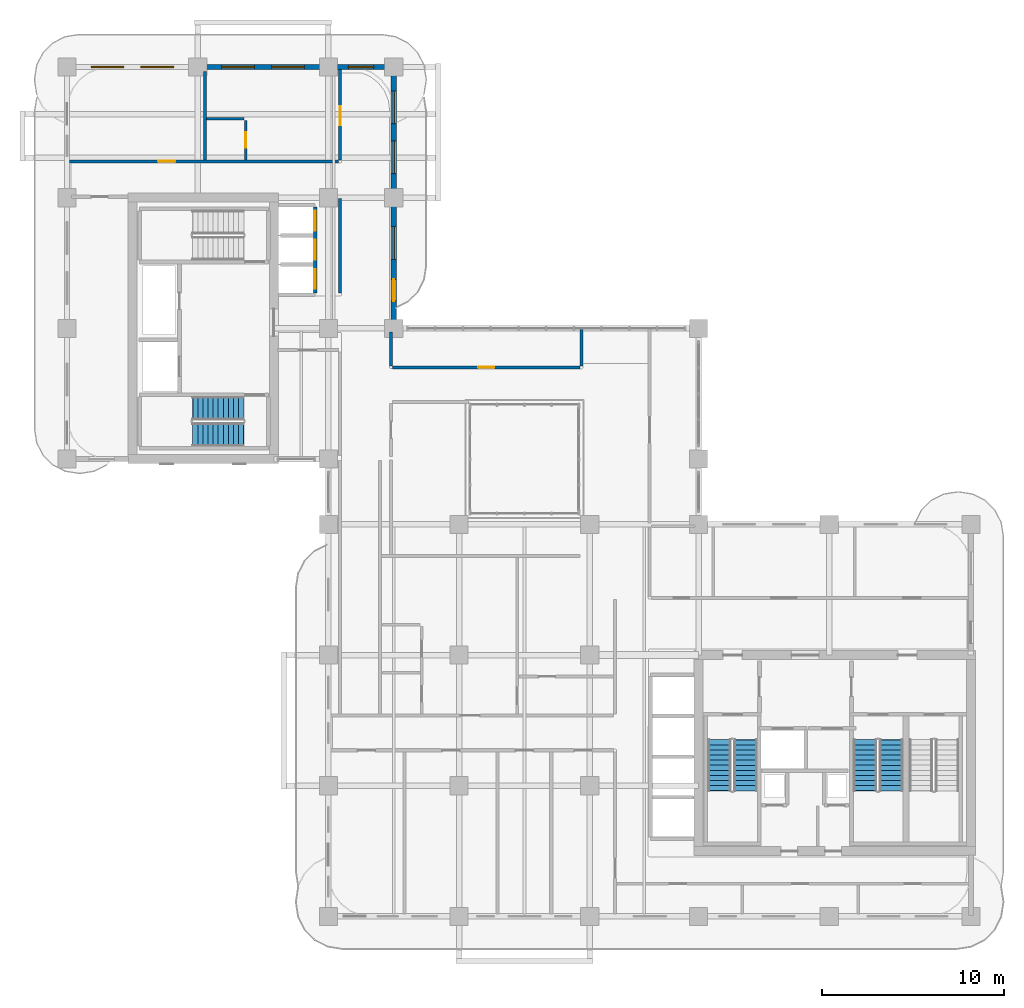
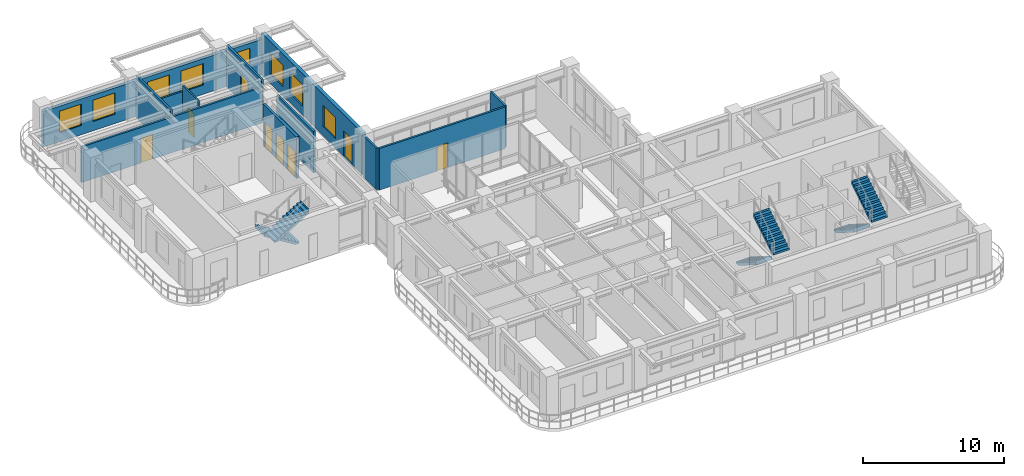
# One storey, part 15 of 21: 12 walls, 8 doors, 8 windows, 6 stair flights, 16 openings, 3 elements without a shape of their own.
"""IFC4 building model written with IfcOpenShell, lengths in metres."""

from ifc_helpers import new_model, si_unit, derived_unit, direction, frame, frame_2d, origin, place, context, subcontext, project, spatial, polyline, rectangle, outline, extrude, source, transform, mapped, material, layer, layer_set, type_object, type_shapes, element, fill, aggregate, save


model = new_model("IFC4")

# Units and contexts
model_context = context("Model", 3, precision=1e-05, world=origin(), true_north=direction((0.0, 1.0)))
body_context = subcontext(model_context, "Body", "Model", "MODEL_VIEW")
ifc_project = project(units=[si_unit("LENGTHUNIT", "METRE"), si_unit("AREAUNIT", "SQUARE_METRE"), si_unit("VOLUMEUNIT", "CUBIC_METRE"), si_unit("PLANEANGLEUNIT", "RADIAN"), si_unit("MASSUNIT", "GRAM", prefix="KILO"), si_unit("THERMODYNAMICTEMPERATUREUNIT", "KELVIN"), si_unit("POWERUNIT", "WATT"), derived_unit("THERMALTRANSMITTANCEUNIT", [(si_unit("POWERUNIT", "WATT"), 1), (si_unit("AREAUNIT", "SQUARE_METRE"), -1), (si_unit("THERMODYNAMICTEMPERATUREUNIT", "KELVIN"), -1)])], contexts=[model_context])

# Site, building, storey
site_placement = place(None, origin())
site = spatial("IfcSite", under=ifc_project, at=site_placement, CompositionType="ELEMENT")
building_placement = place(site_placement, origin())
building = spatial("IfcBuilding", under=site, at=building_placement, Name="Zahravan Archway Hotel and Residences", CompositionType="ELEMENT")
storey_placement = place(building_placement, frame((0.0, 0.0, 165.699951171875)))
storey = spatial("IfcBuildingStorey", under=building, at=storey_placement, Name="L41", CompositionType="ELEMENT", Elevation=165.699951171875)

# Wall, openings, windows
ifc_material_1 = material(Name="Honed Red-Ochre Sandstone & Insulated Block", Category="masonry")
ifc_layer_1 = layer(ifc_material_1, 0.280029296875, Name="Honed Red-Ochre Sandstone & Insulated Block", Category="masonry")
ifc_layer_set_1 = layer_set([ifc_layer_1], Name="Honed Red-Ochre Sandstone & Insulated Block")
wall_type_1 = type_object("IfcWallType", Name="EW-LOG-280", PredefinedType="SOLIDWALL", material=ifc_layer_set_1)
wall_1_placement = place(storey_placement, frame((0.0, 46.800048828125, 0.0), z_axis=(0.0, 0.0, 1.0), x_axis=(1.0, 0.0, 0.0)))
wall_1 = element("IfcWall", 1, at=wall_1_placement, inside=storey, type_object=wall_type_1, Name="L41 Exterior Sandstone Wall WB-N", PredefinedType="SOLIDWALL", context=body_context, shape_type="SweptSolid", body=[
    extrude(rectangle(XDim=18.0, YDim=0.280029296875, at=frame_2d((9.0, 0.0))), origin(), (0.0, 0.0, 1.0), 3.0849609375),
])
opening_1_placement = place(wall_1_placement, frame((1.324951171875, 0.0, 0.800048828125)))
opening_1 = element("IfcOpeningElement", 2, at=opening_1_placement, cuts=wall_1, Name="Opening W-02", PredefinedType="OPENING", context=body_context, shape_type="SweptSolid", body=[
    extrude(rectangle(XDim=1.800048828125, YDim=1.85009765625, at=frame_2d((0.89990234375, 0.925048828125))), frame((0.0, 0.14990234375, 0.0), z_axis=(0.0, -1.0, 0.0), x_axis=(1.0, 0.0, 0.0)), (0.0, 0.0, 1.0), 0.300048828125),
])
opening_2_placement = place(wall_1_placement, frame((4.074951171875, 0.0, 0.800048828125)))
opening_2 = element("IfcOpeningElement", 3, at=opening_2_placement, cuts=wall_1, Name="Opening W-02", PredefinedType="OPENING", context=body_context, shape_type="SweptSolid", body=[
    extrude(rectangle(XDim=1.800048828125, YDim=1.85009765625, at=frame_2d((0.89990234375, 0.925048828125))), frame((0.0, 0.14990234375, 0.0), z_axis=(0.0, -1.0, 0.0), x_axis=(1.0, 0.0, 0.0)), (0.0, 0.0, 1.0), 0.300048828125),
])
opening_3_placement = place(wall_1_placement, frame((8.52490234375, 0.0, 0.800048828125)))
opening_3 = element("IfcOpeningElement", 4, at=opening_3_placement, cuts=wall_1, Name="Opening W-02", PredefinedType="OPENING", context=body_context, shape_type="SweptSolid", body=[
    extrude(rectangle(XDim=1.800048828125, YDim=1.85009765625, at=frame_2d((0.89990234375, 0.925048828125))), frame((0.0, 0.14990234375, 0.0), z_axis=(0.0, -1.0, 0.0), x_axis=(1.0, 0.0, 0.0)), (0.0, 0.0, 1.0), 0.300048828125),
])
opening_4_placement = place(wall_1_placement, frame((11.27490234375, 0.0, 0.800048828125)))
opening_4 = element("IfcOpeningElement", 5, at=opening_4_placement, cuts=wall_1, Name="Opening W-02", PredefinedType="OPENING", context=body_context, shape_type="SweptSolid", body=[
    extrude(rectangle(XDim=1.800048828125, YDim=1.85009765625, at=frame_2d((0.89990234375, 0.925048828125))), frame((0.0, 0.14990234375, 0.0), z_axis=(0.0, -1.0, 0.0), x_axis=(1.0, 0.0, 0.0)), (0.0, 0.0, 1.0), 0.300048828125),
])
opening_5_placement = place(wall_1_placement, frame((15.5, 0.0, 0.800048828125)))
opening_5 = element("IfcOpeningElement", 6, at=opening_5_placement, cuts=wall_1, Name="Opening W-03", PredefinedType="OPENING", context=body_context, shape_type="SweptSolid", body=[
    extrude(rectangle(XDim=1.39990234375, YDim=1.85009765625, at=frame_2d((0.699951171875, 0.925048828125))), frame((0.0, 0.14990234375, 0.0), z_axis=(0.0, -1.0, 0.0), x_axis=(1.0, 0.0, 0.0)), (0.0, 0.0, 1.0), 0.300048828125),
])
ifc_material_2 = material(Name="Bronze-Anodized Thermal-Break Aluminium & Low-E Glass", Category="aluminium")
window_type_1 = type_object("IfcWindowType", Name="WIN-TWR-1400", PartitioningType="SINGLE_PANEL", PredefinedType="WINDOW", material=ifc_material_2)
shared_shape_1 = source(origin(), body_context, "Body", "SweptSolid", [
    extrude(rectangle(XDim=1.39990234375, YDim=1.85009765625, at=frame_2d((0.699951171875, 0.925048828125))), frame((0.0, 0.030029296875, 0.0), z_axis=(0.0, -1.0, 0.0), x_axis=(1.0, 0.0, 0.0)), (0.0, 0.0, 1.0), 0.06005859375),
])
type_shapes(window_type_1, [shared_shape_1])
window_1_placement = place(opening_5_placement, origin())
window_1 = element("IfcWindow", 7, at=window_1_placement, inside=storey, type_object=window_type_1, Name="L41 Loggia Window 30", OverallHeight=1.85009765625, OverallWidth=1.39990234375, PartitioningType="SINGLE_PANEL", PredefinedType="WINDOW", context=body_context, shape_type="MappedRepresentation", body=[
    mapped(shared_shape_1, transform((0.0, 0.0, 0.0), scale=1.0)),
])
fill(opening_5, window_1)
window_type_2 = type_object("IfcWindowType", Name="WIN-TWR-1800", PartitioningType="DOUBLE_PANEL_VERTICAL", PredefinedType="WINDOW", material=ifc_material_2)
shared_shape_2 = source(origin(), body_context, "Body", "SweptSolid", [
    extrude(rectangle(XDim=1.800048828125, YDim=1.85009765625, at=frame_2d((0.89990234375, 0.925048828125))), frame((0.0, 0.030029296875, 0.0), z_axis=(0.0, -1.0, 0.0), x_axis=(1.0, 0.0, 0.0)), (0.0, 0.0, 1.0), 0.06005859375),
])
type_shapes(window_type_2, [shared_shape_2])
window_2_placement = place(opening_1_placement, origin())
window_2 = element("IfcWindow", 8, at=window_2_placement, inside=storey, type_object=window_type_2, Name="L41 Loggia Window 26", OverallHeight=1.85009765625, OverallWidth=1.800048828125, PartitioningType="DOUBLE_PANEL_VERTICAL", PredefinedType="WINDOW", context=body_context, shape_type="MappedRepresentation", body=[
    mapped(shared_shape_2, transform((0.0, 0.0, 0.0), scale=1.0)),
])
fill(opening_1, window_2)
window_3_placement = place(opening_2_placement, origin())
window_3 = element("IfcWindow", 9, at=window_3_placement, inside=storey, type_object=window_type_2, Name="L41 Loggia Window 27", OverallHeight=1.85009765625, OverallWidth=1.800048828125, PartitioningType="DOUBLE_PANEL_VERTICAL", PredefinedType="WINDOW", context=body_context, shape_type="MappedRepresentation", body=[
    mapped(shared_shape_2, transform((0.0, 0.0, 0.0), scale=1.0)),
])
fill(opening_2, window_3)
window_4_placement = place(opening_3_placement, origin())
window_4 = element("IfcWindow", 10, at=window_4_placement, inside=storey, type_object=window_type_2, Name="L41 Loggia Window 28", OverallHeight=1.85009765625, OverallWidth=1.800048828125, PartitioningType="DOUBLE_PANEL_VERTICAL", PredefinedType="WINDOW", context=body_context, shape_type="MappedRepresentation", body=[
    mapped(shared_shape_2, transform((0.0, 0.0, 0.0), scale=1.0)),
])
fill(opening_3, window_4)
window_5_placement = place(opening_4_placement, origin())
window_5 = element("IfcWindow", 11, at=window_5_placement, inside=storey, type_object=window_type_2, Name="L41 Loggia Window 29", OverallHeight=1.85009765625, OverallWidth=1.800048828125, PartitioningType="DOUBLE_PANEL_VERTICAL", PredefinedType="WINDOW", context=body_context, shape_type="MappedRepresentation", body=[
    mapped(shared_shape_2, transform((0.0, 0.0, 0.0), scale=1.0)),
])
fill(opening_4, window_5)

# Wall, openings, door, windows
wall_2_placement = place(storey_placement, frame((18.0, 32.39990234375, 0.0), z_axis=(0.0, 0.0, 1.0), x_axis=(0.0, 1.0, 0.0)))
wall_2 = element("IfcWall", 12, at=wall_2_placement, inside=storey, type_object=wall_type_1, Name="L41 Exterior Sandstone Wall WB-EU", PredefinedType="SOLIDWALL", context=body_context, shape_type="SweptSolid", body=[
    extrude(rectangle(XDim=14.35009765625, YDim=0.280029296875, at=frame_2d((7.175048828125, 0.0))), origin(), (0.0, 0.0, 1.0), 3.60009765625),
])
opening_6_placement = place(wall_2_placement, frame((1.5, 0.0, 0.0)))
opening_6 = element("IfcOpeningElement", 13, at=opening_6_placement, cuts=wall_2, Name="Opening ED-BL1", PredefinedType="OPENING", context=body_context, shape_type="SweptSolid", body=[
    extrude(rectangle(XDim=1.199951171875, YDim=2.199951171875, at=frame_2d((0.60009765625, 1.10009765625))), frame((0.0, 0.14990234375, 0.0), z_axis=(0.0, -1.0, 0.0), x_axis=(1.0, 0.0, 0.0)), (0.0, 0.0, 1.0), 0.300048828125),
])
opening_7_placement = place(wall_2_placement, frame((3.800048828125, 0.0, 0.800048828125)))
opening_7 = element("IfcOpeningElement", 14, at=opening_7_placement, cuts=wall_2, Name="Opening W-02", PredefinedType="OPENING", context=body_context, shape_type="SweptSolid", body=[
    extrude(rectangle(XDim=1.800048828125, YDim=1.85009765625, at=frame_2d((0.89990234375, 0.925048828125))), frame((0.0, 0.14990234375, 0.0), z_axis=(0.0, -1.0, 0.0), x_axis=(1.0, 0.0, 0.0)), (0.0, 0.0, 1.0), 0.300048828125),
])
opening_8_placement = place(wall_2_placement, frame((8.52490234375, 0.0, 0.800048828125)))
opening_8 = element("IfcOpeningElement", 15, at=opening_8_placement, cuts=wall_2, Name="Opening W-02", PredefinedType="OPENING", context=body_context, shape_type="SweptSolid", body=[
    extrude(rectangle(XDim=1.800048828125, YDim=1.85009765625, at=frame_2d((0.89990234375, 0.925048828125))), frame((0.0, 0.14990234375, 0.0), z_axis=(0.0, -1.0, 0.0), x_axis=(1.0, 0.0, 0.0)), (0.0, 0.0, 1.0), 0.300048828125),
])
opening_9_placement = place(wall_2_placement, frame((11.27490234375, 0.0, 0.800048828125)))
opening_9 = element("IfcOpeningElement", 16, at=opening_9_placement, cuts=wall_2, Name="Opening W-02", PredefinedType="OPENING", context=body_context, shape_type="SweptSolid", body=[
    extrude(rectangle(XDim=1.800048828125, YDim=1.85009765625, at=frame_2d((0.89990234375, 0.925048828125))), frame((0.0, 0.14990234375, 0.0), z_axis=(0.0, -1.0, 0.0), x_axis=(1.0, 0.0, 0.0)), (0.0, 0.0, 1.0), 0.300048828125),
])
ifc_material_3 = material(Name="Bronze-Anodized Glazed Aluminium", Category="aluminium")
door_type_1 = type_object("IfcDoorType", Name="ED-BALC-1200", OperationType="SLIDING_TO_LEFT", PredefinedType="DOOR", material=ifc_material_3)
shared_shape_3 = source(origin(), body_context, "Body", "SweptSolid", [
    extrude(rectangle(XDim=1.199951171875, YDim=2.199951171875, at=frame_2d((0.60009765625, 1.10009765625))), frame((0.0, 0.02490234375, 0.0), z_axis=(0.0, -1.0, 0.0), x_axis=(1.0, 0.0, 0.0)), (0.0, 0.0, 1.0), 0.050048828125),
])
type_shapes(door_type_1, [shared_shape_3])
door_1_placement = place(opening_6_placement, origin())
door_1 = element("IfcDoor", 17, at=door_1_placement, inside=storey, type_object=door_type_1, Name="L41 Outdoor Access Sliding Door (SLB-BAL-L41-EB)", OperationType="SLIDING_TO_LEFT", OverallHeight=2.199951171875, OverallWidth=1.199951171875, PredefinedType="DOOR", context=body_context, shape_type="MappedRepresentation", body=[
    mapped(shared_shape_3, transform((0.0, 0.0, 0.0), scale=1.0)),
])
fill(opening_6, door_1)
window_6_placement = place(opening_7_placement, origin())
window_6 = element("IfcWindow", 18, at=window_6_placement, inside=storey, type_object=window_type_2, Name="L41 Loggia Window 31", OverallHeight=1.85009765625, OverallWidth=1.800048828125, PartitioningType="DOUBLE_PANEL_VERTICAL", PredefinedType="WINDOW", context=body_context, shape_type="MappedRepresentation", body=[
    mapped(shared_shape_2, transform((0.0, 0.0, 0.0), scale=1.0)),
])
fill(opening_7, window_6)
window_7_placement = place(opening_8_placement, origin())
window_7 = element("IfcWindow", 19, at=window_7_placement, inside=storey, type_object=window_type_2, Name="L41 Loggia Window 32", OverallHeight=1.85009765625, OverallWidth=1.800048828125, PartitioningType="DOUBLE_PANEL_VERTICAL", PredefinedType="WINDOW", context=body_context, shape_type="MappedRepresentation", body=[
    mapped(shared_shape_2, transform((0.0, 0.0, 0.0), scale=1.0)),
])
fill(opening_8, window_7)
window_8_placement = place(opening_9_placement, origin())
window_8 = element("IfcWindow", 20, at=window_8_placement, inside=storey, type_object=window_type_2, Name="L41 Loggia Window 33", OverallHeight=1.85009765625, OverallWidth=1.800048828125, PartitioningType="DOUBLE_PANEL_VERTICAL", PredefinedType="WINDOW", context=body_context, shape_type="MappedRepresentation", body=[
    mapped(shared_shape_2, transform((0.0, 0.0, 0.0), scale=1.0)),
])
fill(opening_9, window_8)

# Wall
ifc_material_4 = material(Name="Fire-Rated Gypsum & Concrete Block", Category="concrete")
ifc_layer_2 = layer(ifc_material_4, 0.159912109375, Name="Fire-Rated Gypsum & Concrete Block", Category="concrete")
ifc_layer_set_2 = layer_set([ifc_layer_2], Name="Fire-Rated Gypsum & Concrete Block")
wall_type_2 = type_object("IfcWallType", Name="PW-CORR-160", PredefinedType="PARTITIONING", material=ifc_layer_set_2)
wall_3_placement = place(storey_placement, frame((15.050048828125, 34.340087890625, 0.0), z_axis=(0.0, 0.0, 1.0), x_axis=(0.0, 1.0, 0.0)))
element("IfcWall", 21, at=wall_3_placement, inside=storey, type_object=wall_type_2, Name="L41 Partition WBN-CL", PredefinedType="PARTITIONING", context=body_context, shape_type="SweptSolid", body=[
    extrude(rectangle(XDim=5.219970703125, YDim=0.159912109375, at=frame_2d((2.60986328125, 0.0))), origin(), (0.0, 0.0, 1.0), 3.60009765625),
])

# Wall, opening, door
wall_4_placement = place(storey_placement, frame((15.050048828125, 41.68994140625, 0.0), z_axis=(0.0, 0.0, 1.0), x_axis=(0.0, 1.0, 0.0)))
wall_4 = element("IfcWall", 22, at=wall_4_placement, inside=storey, type_object=wall_type_2, Name="L41 Partition WBN-CU", PredefinedType="PARTITIONING", context=body_context, shape_type="SweptSolid", body=[
    extrude(rectangle(XDim=4.962158203125, YDim=0.159912109375, at=frame_2d((2.48095703125, 0.0))), origin(), (0.0, 0.0, 1.0), 3.60009765625),
])
opening_10_placement = place(wall_4_placement, frame((1.909912109375, 0.0, 0.0)))
opening_10 = element("IfcOpeningElement", 23, at=opening_10_placement, cuts=wall_4, Name="Opening D-U1", PredefinedType="OPENING", context=body_context, shape_type="SweptSolid", body=[
    extrude(rectangle(XDim=1.050048828125, YDim=2.25, at=frame_2d((0.52490234375, 1.125))), frame((0.0, 0.08984375, 0.0), z_axis=(0.0, -1.0, 0.0), x_axis=(1.0, 0.0, 0.0)), (0.0, 0.0, 1.0), 0.179931640625),
])
ifc_material_5 = material(Name="Hardwood Veneer Timber", Category="wood")
door_type_2 = type_object("IfcDoorType", Name="ID-UNIT-1050", OperationType="NOTDEFINED", PredefinedType="DOOR", material=ifc_material_5)
shared_shape_4 = source(origin(), body_context, "Body", "SweptSolid", [
    extrude(rectangle(XDim=1.050048828125, YDim=2.25, at=frame_2d((0.52490234375, 1.125))), frame((0.0, 0.02490234375, 0.0), z_axis=(0.0, -1.0, 0.0), x_axis=(1.0, 0.0, 0.0)), (0.0, 0.0, 1.0), 0.050048828125),
])
type_shapes(door_type_2, [shared_shape_4])
door_2_placement = place(opening_10_placement, origin())
door_2 = element("IfcDoor", 24, at=door_2_placement, inside=storey, type_object=door_type_2, Name="L41 Hotel Guestroom 78 Entrance Door", OperationType="SINGLE_SWING_LEFT", OverallHeight=2.25, OverallWidth=1.050048828125, PredefinedType="DOOR", context=body_context, shape_type="MappedRepresentation", body=[
    mapped(shared_shape_4, transform((0.0, 0.0, 0.0), scale=1.0)),
])
fill(opening_10, door_2)

wall_5_placement = place(storey_placement, frame((0.14794921875, 41.60009765625, 0.0), z_axis=(0.0, 0.0, 1.0), x_axis=(1.0, 0.0, 0.0)))
wall_5 = element("IfcWall", 25, at=wall_5_placement, inside=storey, type_object=wall_type_2, Name="L41 Partition WBN-S2", PredefinedType="PARTITIONING", context=body_context, shape_type="SweptSolid", body=[
    extrude(rectangle(XDim=14.81201171875, YDim=0.159912109375, at=frame_2d((7.406005859375, 0.0))), origin(), (0.0, 0.0, 1.0), 3.0849609375),
])
opening_11_placement = place(wall_5_placement, frame((4.876953125, 0.0, 0.0)))
opening_11 = element("IfcOpeningElement", 26, at=opening_11_placement, cuts=wall_5, Name="Opening D-I1", PredefinedType="OPENING", context=body_context, shape_type="SweptSolid", body=[
    extrude(rectangle(XDim=0.949951171875, YDim=2.14990234375, at=frame_2d((0.47509765625, 1.074951171875))), frame((0.0, 0.08984375, 0.0), z_axis=(0.0, -1.0, 0.0), x_axis=(1.0, 0.0, 0.0)), (0.0, 0.0, 1.0), 0.179931640625),
])
door_type_3 = type_object("IfcDoorType", Name="ID-INT-950", OperationType="NOTDEFINED", PredefinedType="DOOR", material=ifc_material_5)
shared_shape_5 = source(origin(), body_context, "Body", "SweptSolid", [
    extrude(rectangle(XDim=0.949951171875, YDim=2.14990234375, at=frame_2d((0.47509765625, 1.074951171875))), frame((0.0, 0.02490234375, 0.0), z_axis=(0.0, -1.0, 0.0), x_axis=(1.0, 0.0, 0.0)), (0.0, 0.0, 1.0), 0.050048828125),
])
type_shapes(door_type_3, [shared_shape_5])
door_3_placement = place(opening_11_placement, origin())
door_3 = element("IfcDoor", 27, at=door_3_placement, inside=storey, type_object=door_type_3, Name="L41 North West Study Door", OperationType="SINGLE_SWING_LEFT", OverallHeight=2.14990234375, OverallWidth=0.949951171875, PredefinedType="DOOR", context=body_context, shape_type="MappedRepresentation", body=[
    mapped(shared_shape_5, transform((0.0, 0.0, 0.0), scale=1.0)),
])
fill(opening_11, door_3)

# Walls
wall_6_placement = place(storey_placement, frame((17.85009765625, 30.340087890625, 0.0), z_axis=(0.0, 0.0, 1.0), x_axis=(0.0, 1.0, 0.0)))
element("IfcWall", 28, at=wall_6_placement, inside=storey, type_object=wall_type_2, Name="L41 Partition ATR-NWW2", PredefinedType="PARTITIONING", context=body_context, shape_type="SweptSolid", body=[
    extrude(rectangle(XDim=1.869873046875, YDim=0.159912109375, at=frame_2d((0.93505859375, 0.0))), origin(), (0.0, 0.0, 1.0), 3.60009765625),
])
wall_7_placement = place(storey_placement, frame((28.35009765625, 30.340087890625, 0.0), z_axis=(0.0, 0.0, 1.0), x_axis=(0.0, 1.0, 0.0)))
element("IfcWall", 29, at=wall_7_placement, inside=storey, type_object=wall_type_2, Name="L41 Partition ATR-NWE", PredefinedType="PARTITIONING", context=body_context, shape_type="SweptSolid", body=[
    extrude(rectangle(XDim=2.031982421875, YDim=0.159912109375, at=frame_2d((1.01611328125, 0.0))), origin(), (0.0, 0.0, 1.0), 3.60009765625),
])

# Wall, opening, door
wall_8_placement = place(storey_placement, frame((17.93994140625, 30.25, 0.0), z_axis=(0.0, 0.0, 1.0), x_axis=(1.0, 0.0, 0.0)))
wall_8 = element("IfcWall", 30, at=wall_8_placement, inside=storey, type_object=wall_type_2, Name="L41 Partition ATR-NW2N", PredefinedType="PARTITIONING", context=body_context, shape_type="SweptSolid", body=[
    extrude(rectangle(XDim=10.320068359375, YDim=0.159912109375, at=frame_2d((5.16015625, 0.0))), origin(), (0.0, 0.0, 1.0), 3.60009765625),
])
opening_12_placement = place(wall_8_placement, frame((4.7099609375, 0.0, 0.0)))
opening_12 = element("IfcOpeningElement", 31, at=opening_12_placement, cuts=wall_8, Name="Opening D-I2", PredefinedType="OPENING", context=body_context, shape_type="SweptSolid", body=[
    extrude(rectangle(XDim=0.89990234375, YDim=2.14990234375, at=frame_2d((0.449951171875, 1.074951171875))), frame((0.0, 0.08984375, 0.0), z_axis=(0.0, -1.0, 0.0), x_axis=(1.0, 0.0, 0.0)), (0.0, 0.0, 1.0), 0.179931640625),
])
door_type_4 = type_object("IfcDoorType", Name="ID-INT-900", OperationType="NOTDEFINED", PredefinedType="DOOR", material=ifc_material_5)
shared_shape_6 = source(origin(), body_context, "Body", "SweptSolid", [
    extrude(rectangle(XDim=0.89990234375, YDim=2.14990234375, at=frame_2d((0.449951171875, 1.074951171875))), frame((0.0, 0.02490234375, 0.0), z_axis=(0.0, -1.0, 0.0), x_axis=(1.0, 0.0, 0.0)), (0.0, 0.0, 1.0), 0.050048828125),
])
type_shapes(door_type_4, [shared_shape_6])
door_4_placement = place(opening_12_placement, origin())
door_4 = element("IfcDoor", 32, at=door_4_placement, inside=storey, type_object=door_type_4, Name="L41 Atrium North Seminar Door", OperationType="SINGLE_SWING_RIGHT", OverallHeight=2.14990234375, OverallWidth=0.89990234375, PredefinedType="DOOR", context=body_context, shape_type="MappedRepresentation", body=[
    mapped(shared_shape_6, transform((0.0, 0.0, 0.0), scale=1.0)),
])
fill(opening_12, door_4)

# Wall, openings, doors
ifc_layer_3 = layer(ifc_material_4, 0.199951171875, Name="Fire-Rated Gypsum & Concrete Block", Category="concrete")
ifc_layer_set_3 = layer_set([ifc_layer_3], Name="Fire-Rated Gypsum & Concrete Block")
wall_type_3 = type_object("IfcWallType", Name="PW-SHAFT-200", PredefinedType="PARTITIONING", material=ifc_layer_set_3)
wall_9_placement = place(storey_placement, frame((13.679931640625, 34.360107421875, 0.0), z_axis=(0.0, 0.0, 1.0), x_axis=(0.0, 1.0, 0.0)))
wall_9 = element("IfcWall", 33, at=wall_9_placement, inside=storey, type_object=wall_type_3, Name="L41 Partition B2-E", PredefinedType="PARTITIONING", context=body_context, shape_type="SweptSolid", body=[
    extrude(rectangle(XDim=4.719970703125, YDim=0.199951171875, at=frame_2d((2.35986328125, 0.0))), origin(), (0.0, 0.0, 1.0), 3.60009765625),
])
opening_13_placement = place(wall_9_placement, frame((0.2099609375, 0.0, 0.0)))
opening_13 = element("IfcOpeningElement", 34, at=opening_13_placement, cuts=wall_9, Name="Opening LD", PredefinedType="OPENING", context=body_context, shape_type="SweptSolid", body=[
    extrude(rectangle(XDim=1.10009765625, YDim=2.199951171875, at=frame_2d((0.550048828125, 1.10009765625))), frame((0.0, 0.10986328125, 0.0), z_axis=(0.0, -1.0, 0.0), x_axis=(1.0, 0.0, 0.0)), (0.0, 0.0, 1.0), 0.219970703125),
])
opening_14_placement = place(wall_9_placement, frame((1.81005859375, 0.0, 0.0)))
opening_14 = element("IfcOpeningElement", 35, at=opening_14_placement, cuts=wall_9, Name="Opening LD", PredefinedType="OPENING", context=body_context, shape_type="SweptSolid", body=[
    extrude(rectangle(XDim=1.10009765625, YDim=2.199951171875, at=frame_2d((0.550048828125, 1.10009765625))), frame((0.0, 0.10986328125, 0.0), z_axis=(0.0, -1.0, 0.0), x_axis=(1.0, 0.0, 0.0)), (0.0, 0.0, 1.0), 0.219970703125),
])
opening_15_placement = place(wall_9_placement, frame((3.409912109375, 0.0, 0.0)))
opening_15 = element("IfcOpeningElement", 36, at=opening_15_placement, cuts=wall_9, Name="Opening LD", PredefinedType="OPENING", context=body_context, shape_type="SweptSolid", body=[
    extrude(rectangle(XDim=1.10009765625, YDim=2.199951171875, at=frame_2d((0.550048828125, 1.10009765625))), frame((0.0, 0.10986328125, 0.0), z_axis=(0.0, -1.0, 0.0), x_axis=(1.0, 0.0, 0.0)), (0.0, 0.0, 1.0), 0.219970703125),
])
ifc_material_6 = material(Name="Brushed Stainless Steel", Category="steel")
door_type_5 = type_object("IfcDoorType", Name="DR-LIFT-LD", OperationType="SLIDING_TO_LEFT", PredefinedType="DOOR", material=ifc_material_6)
shared_shape_7 = source(origin(), body_context, "Body", "SweptSolid", [
    extrude(rectangle(XDim=1.10009765625, YDim=2.199951171875, at=frame_2d((0.550048828125, 1.10009765625))), frame((0.0, 0.02490234375, 0.0), z_axis=(0.0, -1.0, 0.0), x_axis=(1.0, 0.0, 0.0)), (0.0, 0.0, 1.0), 0.050048828125),
])
type_shapes(door_type_5, [shared_shape_7])
door_5_placement = place(opening_13_placement, origin())
door_5 = element("IfcDoor", 37, at=door_5_placement, inside=storey, type_object=door_type_5, Name="L41 Lift LP-4 Sliding Landing Door", OperationType="SLIDING_TO_LEFT", OverallHeight=2.199951171875, OverallWidth=1.10009765625, PredefinedType="DOOR", context=body_context, shape_type="MappedRepresentation", body=[
    mapped(shared_shape_7, transform((0.0, 0.0, 0.0), scale=1.0)),
])
fill(opening_13, door_5)
door_6_placement = place(opening_14_placement, origin())
door_6 = element("IfcDoor", 38, at=door_6_placement, inside=storey, type_object=door_type_5, Name="L41 Lift LP-5 Sliding Landing Door", OperationType="SLIDING_TO_LEFT", OverallHeight=2.199951171875, OverallWidth=1.10009765625, PredefinedType="DOOR", context=body_context, shape_type="MappedRepresentation", body=[
    mapped(shared_shape_7, transform((0.0, 0.0, 0.0), scale=1.0)),
])
fill(opening_14, door_6)
door_7_placement = place(opening_15_placement, origin())
door_7 = element("IfcDoor", 39, at=door_7_placement, inside=storey, type_object=door_type_5, Name="L41 Lift LP-6 Sliding Landing Door", OperationType="SLIDING_TO_LEFT", OverallHeight=2.199951171875, OverallWidth=1.10009765625, PredefinedType="DOOR", context=body_context, shape_type="MappedRepresentation", body=[
    mapped(shared_shape_7, transform((0.0, 0.0, 0.0), scale=1.0)),
])
fill(opening_15, door_7)

# Walls
ifc_material_7 = material(Name="Acoustic Stud Partition")
ifc_layer_4 = layer(ifc_material_7, 0.169921875, Name="Acoustic Stud Partition")
ifc_layer_set_4 = layer_set([ifc_layer_4], Name="Acoustic Stud Partition")
wall_type_4 = type_object("IfcWallType", Name="PW-UNIT-170", PredefinedType="PARTITIONING", material=ifc_layer_set_4)
wall_10_placement = place(storey_placement, frame((7.60009765625, 41.68994140625, 0.0), z_axis=(0.0, 0.0, 1.0), x_axis=(0.0, 1.0, 0.0)))
element("IfcWall", 40, at=wall_10_placement, inside=storey, type_object=wall_type_4, Name="L41 Partition WBN-V2", PredefinedType="PARTITIONING", context=body_context, shape_type="SweptSolid", body=[
    extrude(rectangle(XDim=4.8701171875, YDim=0.169921875, at=frame_2d((2.43505859375, 0.0))), origin(), (0.0, 0.0, 1.0), 3.60009765625),
])
ifc_material_8 = material(Name="Moisture-Resistant Blockwork", Category="masonry")
ifc_layer_5 = layer(ifc_material_8, 0.139892578125, Name="Moisture-Resistant Blockwork", Category="masonry")
ifc_layer_set_5 = layer_set([ifc_layer_5], Name="Moisture-Resistant Blockwork")
wall_type_5 = type_object("IfcWallType", Name="PW-WET-140", PredefinedType="PARTITIONING", material=ifc_layer_set_5)
wall_11_placement = place(storey_placement, frame((7.68994140625, 43.949951171875, 0.0), z_axis=(0.0, 0.0, 1.0), x_axis=(1.0, 0.0, 0.0)))
element("IfcWall", 41, at=wall_11_placement, inside=storey, type_object=wall_type_5, Name="L41 Partition HKB-H78", PredefinedType="PARTITIONING", context=body_context, shape_type="SweptSolid", body=[
    extrude(rectangle(XDim=2.070068359375, YDim=0.139892578125, at=frame_2d((1.03515625, 0.0))), origin(), (0.0, 0.0, 1.0), 3.0849609375),
])

# Wall, opening, door
wall_12_placement = place(storey_placement, frame((9.85009765625, 41.68994140625, 0.0), z_axis=(0.0, 0.0, 1.0), x_axis=(0.0, 1.0, 0.0)))
wall_12 = element("IfcWall", 42, at=wall_12_placement, inside=storey, type_object=wall_type_5, Name="L41 Partition HKB-V78", PredefinedType="PARTITIONING", context=body_context, shape_type="SweptSolid", body=[
    extrude(rectangle(XDim=2.170166015625, YDim=0.139892578125, at=frame_2d((1.0849609375, 0.0))), origin(), (0.0, 0.0, 1.0), 3.60009765625),
])
opening_16_placement = place(wall_12_placement, frame((0.659912109375, 0.0, 0.0)))
opening_16 = element("IfcOpeningElement", 43, at=opening_16_placement, cuts=wall_12, Name="Opening D-B1", PredefinedType="OPENING", context=body_context, shape_type="SweptSolid", body=[
    extrude(rectangle(XDim=0.85009765625, YDim=2.10009765625, at=frame_2d((0.425048828125, 1.050048828125))), frame((0.0, 0.080078125, 0.0), z_axis=(0.0, -1.0, 0.0), x_axis=(1.0, 0.0, 0.0)), (0.0, 0.0, 1.0), 0.159912109375),
])
door_type_6 = type_object("IfcDoorType", Name="ID-BATH-850", OperationType="NOTDEFINED", PredefinedType="DOOR", material=ifc_material_5)
shared_shape_8 = source(origin(), body_context, "Body", "SweptSolid", [
    extrude(rectangle(XDim=0.85009765625, YDim=2.10009765625, at=frame_2d((0.425048828125, 1.050048828125))), frame((0.0, 0.02490234375, 0.0), z_axis=(0.0, -1.0, 0.0), x_axis=(1.0, 0.0, 0.0)), (0.0, 0.0, 1.0), 0.050048828125),
])
type_shapes(door_type_6, [shared_shape_8])
door_8_placement = place(opening_16_placement, origin())
door_8 = element("IfcDoor", 44, at=door_8_placement, inside=storey, type_object=door_type_6, Name="L41 Guestroom 78 En-Suite Door", OperationType="SINGLE_SWING_RIGHT", OverallHeight=2.10009765625, OverallWidth=0.85009765625, PredefinedType="DOOR", context=body_context, shape_type="MappedRepresentation", body=[
    mapped(shared_shape_8, transform((0.0, 0.0, 0.0), scale=1.0)),
])
fill(opening_16, door_8)

# Stair, stair flights
ifc_material_9 = material(Name="Concrete C50/60", Category="concrete")
stair_type = type_object("IfcStairType", Name="STR-CORE-1300", PredefinedType="HALF_TURN_STAIR", material=ifc_material_9)
stair_1_placement = place(storey_placement, origin())
stair_1 = element("IfcStair", 45, at=stair_1_placement, inside=storey, type_object=stair_type, Name="L41 Core A Exit Stair 1", PredefinedType="HALF_TURN_STAIR")
ifc_layer_6 = layer(ifc_material_9, 0.199951171875, Name="Concrete C50/60", Category="concrete")
ifc_layer_set_6 = layer_set([ifc_layer_6], Name="Concrete C50/60")
stair_flight_type = type_object("IfcStairFlightType", Name="SFL-CORE-1300", PredefinedType="STRAIGHT", material=ifc_layer_set_6)
shared_shape_9 = source(origin(), body_context, "Body", "SweptSolid", [
    extrude(outline(polyline([(-0.01611328125, 0.0), (-0.01611328125, 0.175048828125), (0.280029296875, 0.175048828125), (0.280029296875, 0.35009765625), (0.56005859375, 0.35009765625), (0.56005859375, 0.52490234375), (0.840087890625, 0.52490234375), (0.840087890625, 0.699951171875), (1.1201171875, 0.699951171875), (1.1201171875, 0.875), (1.39990234375, 0.875), (1.39990234375, 1.050048828125), (1.679931640625, 1.050048828125), (1.679931640625, 1.22509765625), (1.9599609375, 1.22509765625), (1.9599609375, 1.39990234375), (2.239990234375, 1.39990234375), (2.239990234375, 1.574951171875), (2.52001953125, 1.574951171875), (2.52001953125, 1.75), (2.800048828125, 1.75), (2.800048828125, 1.925048828125), (2.816162109375, 1.925048828125), (2.816162109375, 1.5732421875), (0.28271484375, 0.0), (-0.01611328125, 0.0)])), frame((0.0, 0.64990234375, 0.0), z_axis=(0.0, -1.0, 0.0), x_axis=(1.0, 0.0, 0.0)), (0.0, 0.0, 1.0), 1.300048828125),
])
stair_flight_1_placement = place(storey_placement, frame((35.949951171875, 9.72998046875, 0.0), z_axis=(0.0, 0.0, 1.0), x_axis=(0.0, -1.0, 0.0)))
stair_flight_1 = element("IfcStairFlight", 46, at=stair_flight_1_placement, type_object=stair_flight_type, Name="ST-A1 flight 1", NumberOfRisers=11, NumberOfTreads=10, PredefinedType="STRAIGHT", RiserHeight=0.175, TreadLength=0.28, context=body_context, shape_type="MappedRepresentation", body=[
    mapped(shared_shape_9, transform((0.0, 0.0, 0.0), scale=1.0)),
])
stair_flight_2_placement = place(storey_placement, frame((37.389892578125, 6.929931640625, 1.925048828125), z_axis=(0.0, 0.0, 1.0), x_axis=(0.0, 1.0, 0.0)))
stair_flight_2 = element("IfcStairFlight", 47, at=stair_flight_2_placement, type_object=stair_flight_type, Name="ST-A1 flight 2", NumberOfRisers=11, NumberOfTreads=10, PredefinedType="STRAIGHT", RiserHeight=0.175, TreadLength=0.28, context=body_context, shape_type="MappedRepresentation", body=[
    mapped(shared_shape_9, transform((0.0, 0.0, 0.0), scale=1.0)),
])
aggregate(stair_1, [stair_flight_1, stair_flight_2])

stair_2_placement = place(storey_placement, origin())
stair_2 = element("IfcStair", 48, at=stair_2_placement, inside=storey, type_object=stair_type, Name="L41 Core A Exit Stair 2", PredefinedType="HALF_TURN_STAIR")
stair_flight_3_placement = place(storey_placement, frame((43.969970703125, 9.72998046875, 0.0), z_axis=(0.0, 0.0, 1.0), x_axis=(0.0, -1.0, 0.0)))
stair_flight_3 = element("IfcStairFlight", 49, at=stair_flight_3_placement, type_object=stair_flight_type, Name="ST-A2 flight 1", NumberOfRisers=11, NumberOfTreads=10, PredefinedType="STRAIGHT", RiserHeight=0.175, TreadLength=0.28, context=body_context, shape_type="MappedRepresentation", body=[
    mapped(shared_shape_9, transform((0.0, 0.0, 0.0), scale=1.0)),
])
stair_flight_4_placement = place(storey_placement, frame((45.409912109375, 6.929931640625, 1.925048828125), z_axis=(0.0, 0.0, 1.0), x_axis=(0.0, 1.0, 0.0)))
stair_flight_4 = element("IfcStairFlight", 50, at=stair_flight_4_placement, type_object=stair_flight_type, Name="ST-A2 flight 2", NumberOfRisers=11, NumberOfTreads=10, PredefinedType="STRAIGHT", RiserHeight=0.175, TreadLength=0.28, context=body_context, shape_type="MappedRepresentation", body=[
    mapped(shared_shape_9, transform((0.0, 0.0, 0.0), scale=1.0)),
])
aggregate(stair_2, [stair_flight_3, stair_flight_4])

stair_3_placement = place(storey_placement, origin())
stair_3 = element("IfcStair", 51, at=stair_3_placement, inside=storey, type_object=stair_type, Name="L41 Core B Exit Stair 1", PredefinedType="HALF_TURN_STAIR")
stair_flight_5_placement = place(storey_placement, frame((9.72998046875, 27.989990234375, 0.0), z_axis=(0.0, 0.0, 1.0), x_axis=(-1.0, 0.0, 0.0)))
stair_flight_5 = element("IfcStairFlight", 52, at=stair_flight_5_placement, type_object=stair_flight_type, Name="ST-B1 flight 1", NumberOfRisers=11, NumberOfTreads=10, PredefinedType="STRAIGHT", RiserHeight=0.175, TreadLength=0.28, context=body_context, shape_type="MappedRepresentation", body=[
    mapped(shared_shape_9, transform((0.0, 0.0, 0.0), scale=1.0)),
])
stair_flight_6_placement = place(storey_placement, frame((6.929931640625, 26.550048828125, 1.925048828125), z_axis=(0.0, 0.0, 1.0), x_axis=(1.0, 0.0, 0.0)))
stair_flight_6 = element("IfcStairFlight", 53, at=stair_flight_6_placement, type_object=stair_flight_type, Name="ST-B1 flight 2", NumberOfRisers=11, NumberOfTreads=10, PredefinedType="STRAIGHT", RiserHeight=0.175, TreadLength=0.28, context=body_context, shape_type="MappedRepresentation", body=[
    mapped(shared_shape_9, transform((0.0, 0.0, 0.0), scale=1.0)),
])
aggregate(stair_3, [stair_flight_5, stair_flight_6])

save(model, "model.ifc")
